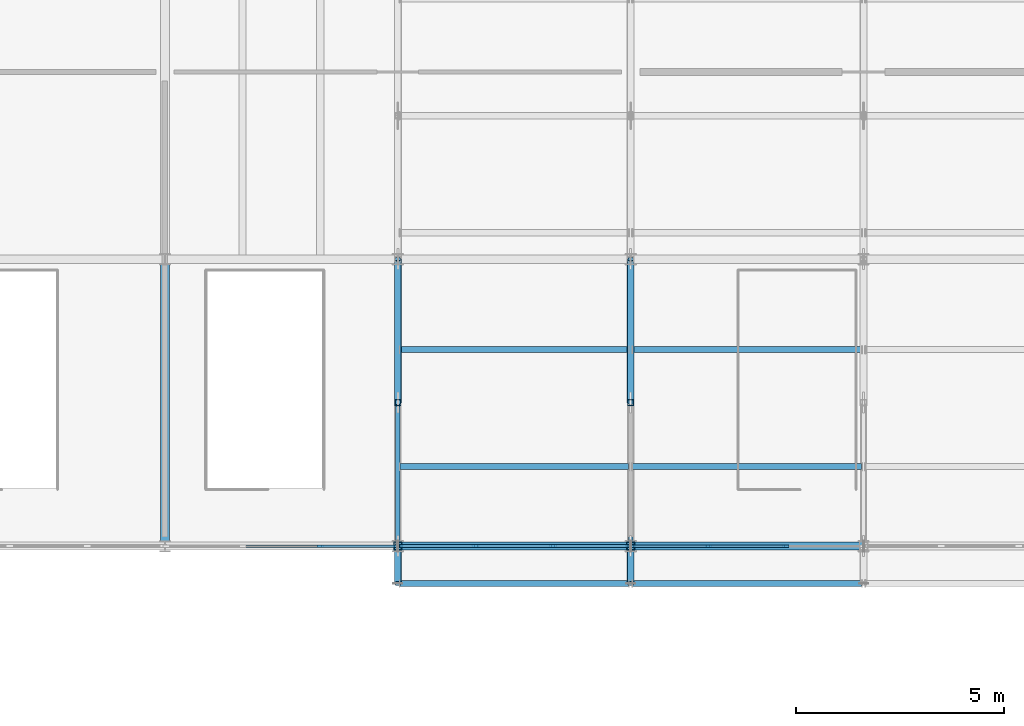
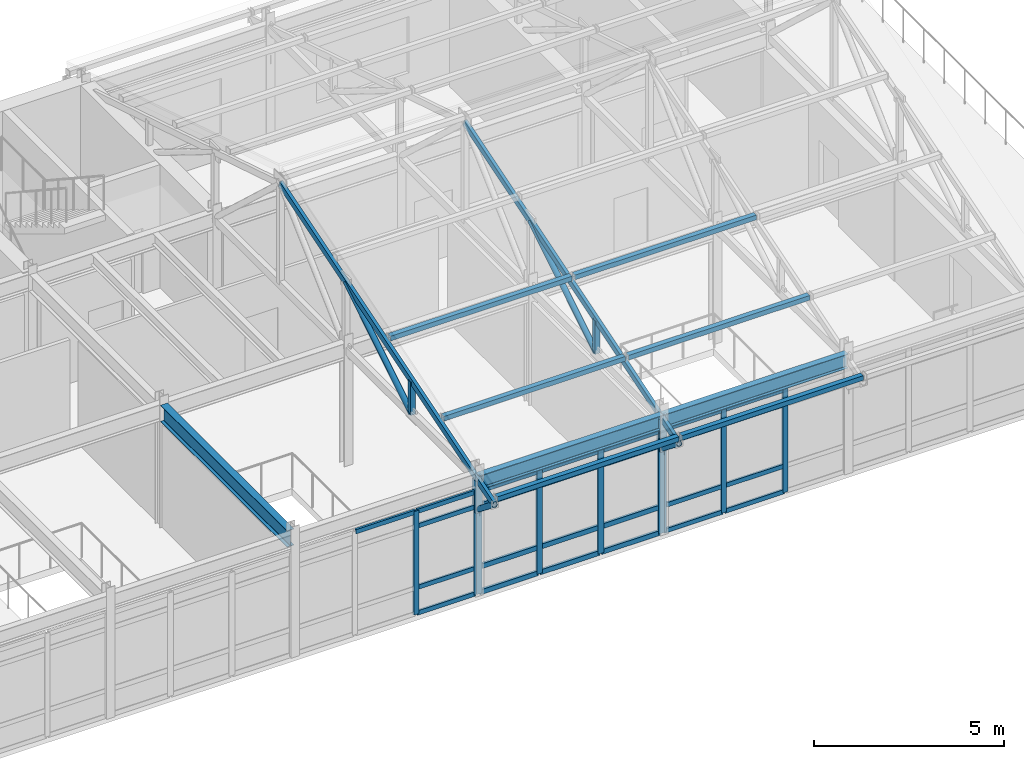
# One storey, part 61 of 144: 50 members, 3 beams, 3 elements without a shape of their own.
"""IFC4 building model written with IfcOpenShell, lengths in metres."""

from ifc_helpers import new_model, si_unit, direction, frame, origin, origin_2d, place, context, subcontext, project, spatial, rectangle, hollow_rectangle, hollow_circle, i_section, extrude, material, layer, layer_set, material_profile, profile_set, type_object, element, aggregate, save


model = new_model("IFC4")

# Units and contexts
model_context = context("Model", 3, precision=1e-05, world=origin(), true_north=direction((0.0, 1.0)))
body_context = subcontext(model_context, "Body", "Model", "MODEL_VIEW")
ifc_project = project(units=[si_unit("LENGTHUNIT", "METRE"), si_unit("AREAUNIT", "SQUARE_METRE"), si_unit("VOLUMEUNIT", "CUBIC_METRE"), si_unit("PLANEANGLEUNIT", "RADIAN"), si_unit("MASSUNIT", "GRAM", prefix="KILO")], contexts=[model_context])

# Site, building, storey
site_placement = place(None, origin())
site = spatial("IfcSite", under=ifc_project, at=site_placement, CompositionType="ELEMENT")
building_placement = place(site_placement, origin())
building = spatial("IfcBuilding", under=site, at=building_placement, Name="Trelmorton Wharf Fire Station", CompositionType="ELEMENT")
storey_placement = place(building_placement, frame((0.0, 0.0, 5.39990234375)))
storey = spatial("IfcBuildingStorey", under=building, at=storey_placement, Name="L01", CompositionType="ELEMENT", Elevation=5.39990234375)

# Beam
ifc_material_1 = material(Name="Steel Grade 350", Category="steel")
ifc_material_profile_1 = material_profile(ifc_material_1, i_section(OverallWidth=0.208984375, OverallDepth=0.532958984375, WebThickness=0.01025390625, FlangeThickness=0.015625, FilletRadius=0.013916015625, at=origin_2d()), Name="530UB92.4")
ifc_profile_set_1 = profile_set([ifc_material_profile_1], Name="Steel Grade 350")
beam_type_1 = type_object("IfcBeamType", Name="BM_530UB92", PredefinedType="BEAM", material=ifc_profile_set_1)
beam_1_placement = place(storey_placement, frame((17.60009765625, 60.426025390625, 3.66357421875), z_axis=(0.0, 1.0, 0.0), x_axis=(-1.0, 0.0, 0.0)))
element("IfcBeam", 1, at=beam_1_placement, inside=storey, type_object=beam_type_1, Name="BM-L01-0576", PredefinedType="BEAM", context=body_context, shape_type="SweptSolid", body=[
    extrude(i_section(OverallWidth=0.208984375, OverallDepth=0.532958984375, WebThickness=0.01025390625, FlangeThickness=0.015625, FilletRadius=0.013916015625, at=origin_2d()), origin(), (0.0, 0.0, 1.0), 6.64794921875),
])

# Curtain wall, members
ifc_material_2 = material(Name="Anodised aluminium AW-6063", Category="aluminium")
ifc_layer = layer(ifc_material_2, 0.14990234375)
ifc_layer_set = layer_set([ifc_layer], Name="Anodised aluminium AW-6063")
curtain_wall_type = type_object("IfcCurtainWallType", Name="CW_UNIT_A", PredefinedType="USERDEFINED", material=ifc_layer_set)
curtain_wall_1_placement = place(storey_placement, origin())
curtain_wall_1 = element("IfcCurtainWall", 2, at=curtain_wall_1_placement, inside=storey, type_object=curtain_wall_type, Name="CW-V6-L01-093", ObjectType="UNITISED CURTAIN WALL", PredefinedType="USERDEFINED")
ifc_material_profile_2 = material_profile(ifc_material_2, rectangle(XDim=0.06494140625, YDim=0.159912109375, at=origin_2d()), Name="ALU-65x160")
ifc_profile_set_2 = profile_set([ifc_material_profile_2], Name="Anodised aluminium AW-6063")
member_type_1 = type_object("IfcMemberType", Name="CWM_65x160", PredefinedType="MULLION", material=ifc_profile_set_2)
member_1_placement = place(storey_placement, frame((23.1650390625, 60.300048828125, 0.0), z_axis=(0.0, 0.0, 1.0), x_axis=(0.0, -1.0, 0.0)))
member_1 = element("IfcMember", 3, at=member_1_placement, type_object=member_type_1, Name="CW3 mullion 1", PredefinedType="MULLION", context=body_context, shape_type="SweptSolid", body=[
    extrude(rectangle(XDim=0.06494140625, YDim=0.159912109375, at=origin_2d()), origin(), (0.0, 0.0, 1.0), 3.320068359375),
])
member_2_placement = place(storey_placement, frame((21.331787109375, 60.300048828125, 0.0), z_axis=(0.0, 0.0, 1.0), x_axis=(0.0, -1.0, 0.0)))
member_2 = element("IfcMember", 4, at=member_2_placement, type_object=member_type_1, Name="CW3 mullion 2", PredefinedType="MULLION", context=body_context, shape_type="SweptSolid", body=[
    extrude(rectangle(XDim=0.06494140625, YDim=0.159912109375, at=origin_2d()), origin(), (0.0, 0.0, 1.0), 3.320068359375),
])

curtain_wall_2_placement = place(storey_placement, origin())
curtain_wall_2 = element("IfcCurtainWall", 5, at=curtain_wall_2_placement, inside=storey, type_object=curtain_wall_type, Name="CW-V6-L01-095", ObjectType="UNITISED CURTAIN WALL", PredefinedType="USERDEFINED")
member_3_placement = place(storey_placement, frame((32.53173828125, 60.300048828125, 0.0), z_axis=(0.0, 0.0, 1.0), x_axis=(0.0, -1.0, 0.0)))
member_3 = element("IfcMember", 6, at=member_3_placement, type_object=member_type_1, Name="CW3 mullion 2", PredefinedType="MULLION", context=body_context, shape_type="SweptSolid", body=[
    extrude(rectangle(XDim=0.06494140625, YDim=0.159912109375, at=origin_2d()), origin(), (0.0, 0.0, 1.0), 3.320068359375),
])
member_4_placement = place(storey_placement, frame((30.668212890625, 60.300048828125, 0.0), z_axis=(0.0, 0.0, 1.0), x_axis=(0.0, -1.0, 0.0)))
member_4 = element("IfcMember", 7, at=member_4_placement, type_object=member_type_1, Name="CW3 mullion 3", PredefinedType="MULLION", context=body_context, shape_type="SweptSolid", body=[
    extrude(rectangle(XDim=0.06494140625, YDim=0.159912109375, at=origin_2d()), origin(), (0.0, 0.0, 1.0), 3.320068359375),
])
member_5_placement = place(storey_placement, frame((28.8349609375, 60.300048828125, 0.0), z_axis=(0.0, 0.0, 1.0), x_axis=(0.0, -1.0, 0.0)))
member_5 = element("IfcMember", 8, at=member_5_placement, type_object=member_type_1, Name="CW3 mullion 4", PredefinedType="MULLION", context=body_context, shape_type="SweptSolid", body=[
    extrude(rectangle(XDim=0.06494140625, YDim=0.159912109375, at=origin_2d()), origin(), (0.0, 0.0, 1.0), 3.320068359375),
])

curtain_wall_3_placement = place(storey_placement, origin())
curtain_wall_3 = element("IfcCurtainWall", 9, at=curtain_wall_3_placement, inside=storey, type_object=curtain_wall_type, Name="CW-V6-L01-094", ObjectType="UNITISED CURTAIN WALL", PredefinedType="USERDEFINED")
ifc_material_profile_3 = material_profile(ifc_material_2, rectangle(XDim=0.074951171875, YDim=0.175048828125, at=origin_2d()), Name="ALU-75x175")
ifc_profile_set_3 = profile_set([ifc_material_profile_3], Name="Anodised aluminium AW-6063")
member_type_2 = type_object("IfcMemberType", Name="CWM_75x175", PredefinedType="MULLION", material=ifc_profile_set_3)
member_6_placement = place(storey_placement, frame((28.764892578125, 60.300048828125, 0.0), z_axis=(0.0, 0.0, 1.0), x_axis=(0.0, -1.0, 0.0)))
member_6 = element("IfcMember", 10, at=member_6_placement, type_object=member_type_2, Name="CW3 mullion 1", PredefinedType="MULLION", context=body_context, shape_type="SweptSolid", body=[
    extrude(rectangle(XDim=0.074951171875, YDim=0.175048828125, at=origin_2d()), origin(), (0.0, 0.0, 1.0), 3.320068359375),
])
member_7_placement = place(storey_placement, frame((26.931640625, 60.300048828125, 0.0), z_axis=(0.0, 0.0, 1.0), x_axis=(0.0, -1.0, 0.0)))
member_7 = element("IfcMember", 11, at=member_7_placement, type_object=member_type_2, Name="CW3 mullion 2", PredefinedType="MULLION", context=body_context, shape_type="SweptSolid", body=[
    extrude(rectangle(XDim=0.074951171875, YDim=0.175048828125, at=origin_2d()), origin(), (0.0, 0.0, 1.0), 3.320068359375),
])
member_8_placement = place(storey_placement, frame((25.068359375, 60.300048828125, 0.0), z_axis=(0.0, 0.0, 1.0), x_axis=(0.0, -1.0, 0.0)))
member_8 = element("IfcMember", 12, at=member_8_placement, type_object=member_type_2, Name="CW3 mullion 3", PredefinedType="MULLION", context=body_context, shape_type="SweptSolid", body=[
    extrude(rectangle(XDim=0.074951171875, YDim=0.175048828125, at=origin_2d()), origin(), (0.0, 0.0, 1.0), 3.320068359375),
])
member_9_placement = place(storey_placement, frame((23.235107421875, 60.300048828125, 0.0), z_axis=(0.0, 0.0, 1.0), x_axis=(0.0, -1.0, 0.0)))
member_9 = element("IfcMember", 13, at=member_9_placement, type_object=member_type_2, Name="CW3 mullion 4", PredefinedType="MULLION", context=body_context, shape_type="SweptSolid", body=[
    extrude(rectangle(XDim=0.074951171875, YDim=0.175048828125, at=origin_2d()), origin(), (0.0, 0.0, 1.0), 3.320068359375),
])

# Member
ifc_material_profile_4 = material_profile(ifc_material_2, rectangle(XDim=0.06494140625, YDim=0.139892578125, at=origin_2d()), Name="ALU-65x140")
ifc_profile_set_4 = profile_set([ifc_material_profile_4], Name="Anodised aluminium AW-6063")
member_type_3 = type_object("IfcMemberType", Name="CWT_65x140", PredefinedType="USERDEFINED", material=ifc_profile_set_4)
member_10_placement = place(storey_placement, frame((23.135009765625, 60.300048828125, 0.030029296875), z_axis=(-1.0, 0.0, 0.0), x_axis=(0.0, -1.0, 0.0)))
member_10 = element("IfcMember", 14, at=member_10_placement, type_object=member_type_3, Name="CW3 transom 1.1", ObjectType="TRANSOM", PredefinedType="USERDEFINED", context=body_context, shape_type="SweptSolid", body=[
    extrude(rectangle(XDim=0.06494140625, YDim=0.139892578125, at=origin_2d()), origin(), (0.0, 0.0, 1.0), 1.7734375),
])

member_11_placement = place(storey_placement, frame((23.135009765625, 60.300048828125, 0.85009765625), z_axis=(-1.0, 0.0, 0.0), x_axis=(0.0, -1.0, 0.0)))
member_11 = element("IfcMember", 15, at=member_11_placement, type_object=member_type_3, Name="CW3 transom 1.2", ObjectType="TRANSOM", PredefinedType="USERDEFINED", context=body_context, shape_type="SweptSolid", body=[
    extrude(rectangle(XDim=0.06494140625, YDim=0.139892578125, at=origin_2d()), origin(), (0.0, 0.0, 1.0), 1.7734375),
])

member_12_placement = place(storey_placement, frame((23.135009765625, 60.300048828125, 2.820068359375), z_axis=(-1.0, 0.0, 0.0), x_axis=(0.0, -1.0, 0.0)))
member_12 = element("IfcMember", 16, at=member_12_placement, type_object=member_type_3, Name="CW3 transom 1.3", ObjectType="TRANSOM", PredefinedType="USERDEFINED", context=body_context, shape_type="SweptSolid", body=[
    extrude(rectangle(XDim=0.06494140625, YDim=0.139892578125, at=origin_2d()), origin(), (0.0, 0.0, 1.0), 1.7734375),
])

member_13_placement = place(storey_placement, frame((23.135009765625, 60.300048828125, 3.2900390625), z_axis=(-1.0, 0.0, 0.0), x_axis=(0.0, -1.0, 0.0)))
member_13 = element("IfcMember", 17, at=member_13_placement, type_object=member_type_3, Name="CW3 transom 1.4", ObjectType="TRANSOM", PredefinedType="USERDEFINED", context=body_context, shape_type="SweptSolid", body=[
    extrude(rectangle(XDim=0.06494140625, YDim=0.139892578125, at=origin_2d()), origin(), (0.0, 0.0, 1.0), 1.7734375),
])

member_14_placement = place(storey_placement, frame((21.3017578125, 60.300048828125, 3.2900390625), z_axis=(-1.0, 0.0, 0.0), x_axis=(0.0, -1.0, 0.0)))
member_14 = element("IfcMember", 18, at=member_14_placement, type_object=member_type_3, Name="CW3 transom 2.4", ObjectType="TRANSOM", PredefinedType="USERDEFINED", context=body_context, shape_type="SweptSolid", body=[
    extrude(rectangle(XDim=0.06494140625, YDim=0.139892578125, at=origin_2d()), origin(), (0.0, 0.0, 1.0), 1.803466796875),
])

aggregate(curtain_wall_1, [member_1, member_2, member_10, member_11, member_12, member_13, member_14])

member_15_placement = place(storey_placement, frame((32.501708984375, 60.300048828125, 0.030029296875), z_axis=(-1.0, 0.0, 0.0), x_axis=(0.0, -1.0, 0.0)))
member_15 = element("IfcMember", 19, at=member_15_placement, type_object=member_type_3, Name="CW3 transom 2.1", ObjectType="TRANSOM", PredefinedType="USERDEFINED", context=body_context, shape_type="SweptSolid", body=[
    extrude(rectangle(XDim=0.06494140625, YDim=0.139892578125, at=origin_2d()), origin(), (0.0, 0.0, 1.0), 1.803466796875),
])

member_16_placement = place(storey_placement, frame((32.501708984375, 60.300048828125, 0.85009765625), z_axis=(-1.0, 0.0, 0.0), x_axis=(0.0, -1.0, 0.0)))
member_16 = element("IfcMember", 20, at=member_16_placement, type_object=member_type_3, Name="CW3 transom 2.2", ObjectType="TRANSOM", PredefinedType="USERDEFINED", context=body_context, shape_type="SweptSolid", body=[
    extrude(rectangle(XDim=0.06494140625, YDim=0.139892578125, at=origin_2d()), origin(), (0.0, 0.0, 1.0), 1.803466796875),
])

member_17_placement = place(storey_placement, frame((32.501708984375, 60.300048828125, 2.820068359375), z_axis=(-1.0, 0.0, 0.0), x_axis=(0.0, -1.0, 0.0)))
member_17 = element("IfcMember", 21, at=member_17_placement, type_object=member_type_3, Name="CW3 transom 2.3", ObjectType="TRANSOM", PredefinedType="USERDEFINED", context=body_context, shape_type="SweptSolid", body=[
    extrude(rectangle(XDim=0.06494140625, YDim=0.139892578125, at=origin_2d()), origin(), (0.0, 0.0, 1.0), 1.803466796875),
])

member_18_placement = place(storey_placement, frame((32.501708984375, 60.300048828125, 3.2900390625), z_axis=(-1.0, 0.0, 0.0), x_axis=(0.0, -1.0, 0.0)))
member_18 = element("IfcMember", 22, at=member_18_placement, type_object=member_type_3, Name="CW3 transom 2.4", ObjectType="TRANSOM", PredefinedType="USERDEFINED", context=body_context, shape_type="SweptSolid", body=[
    extrude(rectangle(XDim=0.06494140625, YDim=0.139892578125, at=origin_2d()), origin(), (0.0, 0.0, 1.0), 1.803466796875),
])

member_19_placement = place(storey_placement, frame((30.638427734375, 60.300048828125, 0.030029296875), z_axis=(-1.0, 0.0, 0.0), x_axis=(0.0, -1.0, 0.0)))
member_19 = element("IfcMember", 23, at=member_19_placement, type_object=member_type_3, Name="CW3 transom 3.1", ObjectType="TRANSOM", PredefinedType="USERDEFINED", context=body_context, shape_type="SweptSolid", body=[
    extrude(rectangle(XDim=0.06494140625, YDim=0.139892578125, at=origin_2d()), origin(), (0.0, 0.0, 1.0), 1.7734375),
])

member_20_placement = place(storey_placement, frame((30.638427734375, 60.300048828125, 0.85009765625), z_axis=(-1.0, 0.0, 0.0), x_axis=(0.0, -1.0, 0.0)))
member_20 = element("IfcMember", 24, at=member_20_placement, type_object=member_type_3, Name="CW3 transom 3.2", ObjectType="TRANSOM", PredefinedType="USERDEFINED", context=body_context, shape_type="SweptSolid", body=[
    extrude(rectangle(XDim=0.06494140625, YDim=0.139892578125, at=origin_2d()), origin(), (0.0, 0.0, 1.0), 1.7734375),
])

member_21_placement = place(storey_placement, frame((30.638427734375, 60.300048828125, 2.820068359375), z_axis=(-1.0, 0.0, 0.0), x_axis=(0.0, -1.0, 0.0)))
member_21 = element("IfcMember", 25, at=member_21_placement, type_object=member_type_3, Name="CW3 transom 3.3", ObjectType="TRANSOM", PredefinedType="USERDEFINED", context=body_context, shape_type="SweptSolid", body=[
    extrude(rectangle(XDim=0.06494140625, YDim=0.139892578125, at=origin_2d()), origin(), (0.0, 0.0, 1.0), 1.7734375),
])

member_22_placement = place(storey_placement, frame((30.638427734375, 60.300048828125, 3.2900390625), z_axis=(-1.0, 0.0, 0.0), x_axis=(0.0, -1.0, 0.0)))
member_22 = element("IfcMember", 26, at=member_22_placement, type_object=member_type_3, Name="CW3 transom 3.4", ObjectType="TRANSOM", PredefinedType="USERDEFINED", context=body_context, shape_type="SweptSolid", body=[
    extrude(rectangle(XDim=0.06494140625, YDim=0.139892578125, at=origin_2d()), origin(), (0.0, 0.0, 1.0), 1.7734375),
])

aggregate(curtain_wall_2, [member_3, member_4, member_5, member_15, member_16, member_17, member_18, member_19, member_20, member_21, member_22])

ifc_material_profile_5 = material_profile(ifc_material_2, rectangle(XDim=0.074951171875, YDim=0.155029296875, at=origin_2d()), Name="ALU-75x155")
ifc_profile_set_5 = profile_set([ifc_material_profile_5], Name="Anodised aluminium AW-6063")
member_type_4 = type_object("IfcMemberType", Name="CWT_75x155", PredefinedType="USERDEFINED", material=ifc_profile_set_5)
member_23_placement = place(storey_placement, frame((28.735107421875, 60.300048828125, 0.030029296875), z_axis=(-1.0, 0.0, 0.0), x_axis=(0.0, -1.0, 0.0)))
member_23 = element("IfcMember", 27, at=member_23_placement, type_object=member_type_4, Name="CW3 transom 1.1", ObjectType="TRANSOM", PredefinedType="USERDEFINED", context=body_context, shape_type="SweptSolid", body=[
    extrude(rectangle(XDim=0.074951171875, YDim=0.155029296875, at=origin_2d()), origin(), (0.0, 0.0, 1.0), 1.7734375),
])

member_24_placement = place(storey_placement, frame((28.735107421875, 60.300048828125, 0.85009765625), z_axis=(-1.0, 0.0, 0.0), x_axis=(0.0, -1.0, 0.0)))
member_24 = element("IfcMember", 28, at=member_24_placement, type_object=member_type_4, Name="CW3 transom 1.2", ObjectType="TRANSOM", PredefinedType="USERDEFINED", context=body_context, shape_type="SweptSolid", body=[
    extrude(rectangle(XDim=0.074951171875, YDim=0.155029296875, at=origin_2d()), origin(), (0.0, 0.0, 1.0), 1.7734375),
])

member_25_placement = place(storey_placement, frame((28.735107421875, 60.300048828125, 2.820068359375), z_axis=(-1.0, 0.0, 0.0), x_axis=(0.0, -1.0, 0.0)))
member_25 = element("IfcMember", 29, at=member_25_placement, type_object=member_type_4, Name="CW3 transom 1.3", ObjectType="TRANSOM", PredefinedType="USERDEFINED", context=body_context, shape_type="SweptSolid", body=[
    extrude(rectangle(XDim=0.074951171875, YDim=0.155029296875, at=origin_2d()), origin(), (0.0, 0.0, 1.0), 1.7734375),
])

member_26_placement = place(storey_placement, frame((28.735107421875, 60.300048828125, 3.2900390625), z_axis=(-1.0, 0.0, 0.0), x_axis=(0.0, -1.0, 0.0)))
member_26 = element("IfcMember", 30, at=member_26_placement, type_object=member_type_4, Name="CW3 transom 1.4", ObjectType="TRANSOM", PredefinedType="USERDEFINED", context=body_context, shape_type="SweptSolid", body=[
    extrude(rectangle(XDim=0.074951171875, YDim=0.155029296875, at=origin_2d()), origin(), (0.0, 0.0, 1.0), 1.7734375),
])

member_27_placement = place(storey_placement, frame((26.901611328125, 60.300048828125, 0.030029296875), z_axis=(-1.0, 0.0, 0.0), x_axis=(0.0, -1.0, 0.0)))
member_27 = element("IfcMember", 31, at=member_27_placement, type_object=member_type_4, Name="CW3 transom 2.1", ObjectType="TRANSOM", PredefinedType="USERDEFINED", context=body_context, shape_type="SweptSolid", body=[
    extrude(rectangle(XDim=0.074951171875, YDim=0.155029296875, at=origin_2d()), origin(), (0.0, 0.0, 1.0), 1.80322265625),
])

member_28_placement = place(storey_placement, frame((26.901611328125, 60.300048828125, 0.85009765625), z_axis=(-1.0, 0.0, 0.0), x_axis=(0.0, -1.0, 0.0)))
member_28 = element("IfcMember", 32, at=member_28_placement, type_object=member_type_4, Name="CW3 transom 2.2", ObjectType="TRANSOM", PredefinedType="USERDEFINED", context=body_context, shape_type="SweptSolid", body=[
    extrude(rectangle(XDim=0.074951171875, YDim=0.155029296875, at=origin_2d()), origin(), (0.0, 0.0, 1.0), 1.80322265625),
])

member_29_placement = place(storey_placement, frame((26.901611328125, 60.300048828125, 2.820068359375), z_axis=(-1.0, 0.0, 0.0), x_axis=(0.0, -1.0, 0.0)))
member_29 = element("IfcMember", 33, at=member_29_placement, type_object=member_type_4, Name="CW3 transom 2.3", ObjectType="TRANSOM", PredefinedType="USERDEFINED", context=body_context, shape_type="SweptSolid", body=[
    extrude(rectangle(XDim=0.074951171875, YDim=0.155029296875, at=origin_2d()), origin(), (0.0, 0.0, 1.0), 1.80322265625),
])

member_30_placement = place(storey_placement, frame((26.901611328125, 60.300048828125, 3.2900390625), z_axis=(-1.0, 0.0, 0.0), x_axis=(0.0, -1.0, 0.0)))
member_30 = element("IfcMember", 34, at=member_30_placement, type_object=member_type_4, Name="CW3 transom 2.4", ObjectType="TRANSOM", PredefinedType="USERDEFINED", context=body_context, shape_type="SweptSolid", body=[
    extrude(rectangle(XDim=0.074951171875, YDim=0.155029296875, at=origin_2d()), origin(), (0.0, 0.0, 1.0), 1.80322265625),
])

member_31_placement = place(storey_placement, frame((25.038330078125, 60.300048828125, 0.030029296875), z_axis=(-1.0, 0.0, 0.0), x_axis=(0.0, -1.0, 0.0)))
member_31 = element("IfcMember", 35, at=member_31_placement, type_object=member_type_4, Name="CW3 transom 3.1", ObjectType="TRANSOM", PredefinedType="USERDEFINED", context=body_context, shape_type="SweptSolid", body=[
    extrude(rectangle(XDim=0.074951171875, YDim=0.155029296875, at=origin_2d()), origin(), (0.0, 0.0, 1.0), 1.7734375),
])

member_32_placement = place(storey_placement, frame((25.038330078125, 60.300048828125, 0.85009765625), z_axis=(-1.0, 0.0, 0.0), x_axis=(0.0, -1.0, 0.0)))
member_32 = element("IfcMember", 36, at=member_32_placement, type_object=member_type_4, Name="CW3 transom 3.2", ObjectType="TRANSOM", PredefinedType="USERDEFINED", context=body_context, shape_type="SweptSolid", body=[
    extrude(rectangle(XDim=0.074951171875, YDim=0.155029296875, at=origin_2d()), origin(), (0.0, 0.0, 1.0), 1.7734375),
])

member_33_placement = place(storey_placement, frame((25.038330078125, 60.300048828125, 2.820068359375), z_axis=(-1.0, 0.0, 0.0), x_axis=(0.0, -1.0, 0.0)))
member_33 = element("IfcMember", 37, at=member_33_placement, type_object=member_type_4, Name="CW3 transom 3.3", ObjectType="TRANSOM", PredefinedType="USERDEFINED", context=body_context, shape_type="SweptSolid", body=[
    extrude(rectangle(XDim=0.074951171875, YDim=0.155029296875, at=origin_2d()), origin(), (0.0, 0.0, 1.0), 1.7734375),
])

member_34_placement = place(storey_placement, frame((25.038330078125, 60.300048828125, 3.2900390625), z_axis=(-1.0, 0.0, 0.0), x_axis=(0.0, -1.0, 0.0)))
member_34 = element("IfcMember", 38, at=member_34_placement, type_object=member_type_4, Name="CW3 transom 3.4", ObjectType="TRANSOM", PredefinedType="USERDEFINED", context=body_context, shape_type="SweptSolid", body=[
    extrude(rectangle(XDim=0.074951171875, YDim=0.155029296875, at=origin_2d()), origin(), (0.0, 0.0, 1.0), 1.7734375),
])

aggregate(curtain_wall_3, [member_6, member_7, member_8, member_9, member_23, member_24, member_25, member_26, member_27, member_28, member_29, member_30, member_31, member_32, member_33, member_34])

# Members
ifc_material_3 = material(Name="Steel C350L0 (350 MPa)", Category="steel")
ifc_material_profile_6 = material_profile(ifc_material_3, hollow_rectangle(XDim=0.14990234375, YDim=0.14990234375, WallThickness=0.009033203125, at=origin_2d()), Name="150x150x9.0SHS")
ifc_profile_set_6 = profile_set([ifc_material_profile_6], Name="Steel C350L0 (350 MPa)")
member_type_5 = type_object("IfcMemberType", Name="PR_150SHS", PredefinedType="PURLIN", material=ifc_profile_set_6)
for number, where, z_axis, x_axis, name in (
    (39, (23.2470703125, 59.39990234375, 3.598876953125), (1.0, 0.0, 0.0), (0.0, 1.0, 0.0), "V6-PR-B01-S0"),
    (40, (23.2470703125, 62.21240234375, 4.468505859375), (1.0, 0.0, 0.0), (0.0, 1.0, 0.0), "V6-PR-B01-S1"),
    (41, (23.2470703125, 65.02490234375, 5.338134765625), (1.0, 0.0, 0.0), (0.0, 1.0, 0.0), "V6-PR-B01-S2"),
):
    element("IfcMember", number, at=place(storey_placement, frame(where, z_axis=z_axis, x_axis=x_axis)), inside=storey, type_object=member_type_5, Name=name, PredefinedType="PURLIN", context=body_context, shape_type="SweptSolid", body=[
        extrude(hollow_rectangle(XDim=0.14990234375, YDim=0.14990234375, WallThickness=0.009033203125, at=origin_2d()), origin(), (0.0, 0.0, 1.0), 5.505859375),
    ])
for number, where, z_axis, x_axis, name in (
    (42, (28.846923828125, 59.39990234375, 3.598876953125), (1.0, 0.0, 0.0), (0.0, 1.0, 0.0), "V6-PR-B02-S0"),
    (43, (28.846923828125, 62.21240234375, 4.468505859375), (1.0, 0.0, 0.0), (0.0, 1.0, 0.0), "V6-PR-B02-S1"),
    (44, (28.846923828125, 65.02490234375, 5.338134765625), (1.0, 0.0, 0.0), (0.0, 1.0, 0.0), "V6-PR-B02-S2"),
):
    element("IfcMember", number, at=place(storey_placement, frame(where, z_axis=z_axis, x_axis=x_axis)), inside=storey, type_object=member_type_5, Name=name, PredefinedType="PURLIN", context=body_context, shape_type="SweptSolid", body=[
        extrude(hollow_rectangle(XDim=0.14990234375, YDim=0.14990234375, WallThickness=0.009033203125, at=origin_2d()), origin(), (0.0, 0.0, 1.0), 5.506103515625),
    ])

# Beams
ifc_material_profile_7 = material_profile(ifc_material_1, i_section(OverallWidth=0.18994140625, OverallDepth=0.45703125, WebThickness=0.009033203125, FlangeThickness=0.014404296875, FilletRadius=0.011474609375, at=origin_2d()), Name="460UB74.6")
ifc_profile_set_7 = profile_set([ifc_material_profile_7], Name="Steel Grade 350")
beam_type_2 = type_object("IfcBeamType", Name="SP_460UB75", PredefinedType="SPANDREL", material=ifc_profile_set_7)
beam_2_placement = place(storey_placement, frame((23.2041015625, 60.300048828125, 3.591552734375), z_axis=(1.0, 0.0, 0.0), x_axis=(0.0, 1.0, 0.0)))
element("IfcBeam", 45, at=beam_2_placement, inside=storey, type_object=beam_type_2, Name="BM-L01-0491", PredefinedType="SPANDREL", context=body_context, shape_type="SweptSolid", body=[
    extrude(i_section(OverallWidth=0.18994140625, OverallDepth=0.45703125, WebThickness=0.009033203125, FlangeThickness=0.014404296875, FilletRadius=0.011474609375, at=origin_2d()), origin(), (0.0, 0.0, 1.0), 5.591796875),
])
beam_3_placement = place(storey_placement, frame((28.803955078125, 60.300048828125, 3.591552734375), z_axis=(1.0, 0.0, 0.0), x_axis=(0.0, 1.0, 0.0)))
element("IfcBeam", 46, at=beam_3_placement, inside=storey, type_object=beam_type_2, Name="BM-L01-0492", PredefinedType="SPANDREL", context=body_context, shape_type="SweptSolid", body=[
    extrude(i_section(OverallWidth=0.18994140625, OverallDepth=0.45703125, WebThickness=0.009033203125, FlangeThickness=0.014404296875, FilletRadius=0.011474609375, at=origin_2d()), origin(), (0.0, 0.0, 1.0), 5.592041015625),
])

# Members
ifc_material_profile_8 = material_profile(ifc_material_3, hollow_circle(Radius=0.084228515625, WallThickness=0.007080078125, at=origin_2d()), Name="168.3x7.1CHS")
ifc_profile_set_8 = profile_set([ifc_material_profile_8], Name="Steel C350L0 (350 MPa)")
member_type_6 = type_object("IfcMemberType", Name="TR_DIAG_168CHS", PredefinedType="STRUT", material=ifc_profile_set_8)
member_35_placement = place(storey_placement, frame((23.199951171875, 60.300048828125, 2.7001953125), z_axis=(0.0, -0.787036307111, 0.616906679563), x_axis=(1.0, 0.0, 0.0)))
element("IfcMember", 47, at=member_35_placement, inside=storey, type_object=member_type_6, Name="V6-TR01-EAV-S", PredefinedType="STRUT", context=body_context, shape_type="SweptSolid", body=[
    extrude(hollow_circle(Radius=0.084228515625, WallThickness=0.007080078125, at=origin_2d()), origin(), (0.0, 0.0, 1.0), 1.143798828125),
])
member_36_placement = place(storey_placement, frame((23.199951171875, 63.75, 3.68408203125), z_axis=(0.0, 0.85052799659, 0.525929773845), x_axis=(-1.0, 0.0, 0.0)))
element("IfcMember", 48, at=member_36_placement, inside=storey, type_object=member_type_6, Name="V6-TR01-DG-S1", PredefinedType="STRUT", context=body_context, shape_type="SweptSolid", body=[
    extrude(hollow_circle(Radius=0.084228515625, WallThickness=0.007080078125, at=origin_2d()), origin(), (0.0, 0.0, 1.0), 4.05615234375),
])
member_37_placement = place(storey_placement, frame((28.800048828125, 60.300048828125, 2.7001953125), z_axis=(0.0, -0.787036307111, 0.616906679563), x_axis=(1.0, 0.0, 0.0)))
element("IfcMember", 49, at=member_37_placement, inside=storey, type_object=member_type_6, Name="V6-TR02-EAV-S", PredefinedType="STRUT", context=body_context, shape_type="SweptSolid", body=[
    extrude(hollow_circle(Radius=0.084228515625, WallThickness=0.007080078125, at=origin_2d()), origin(), (0.0, 0.0, 1.0), 1.143798828125),
])
member_38_placement = place(storey_placement, frame((28.800048828125, 63.75, 3.68408203125), z_axis=(0.0, 0.85052799659, 0.525929773845), x_axis=(-1.0, 0.0, 0.0)))
element("IfcMember", 50, at=member_38_placement, inside=storey, type_object=member_type_6, Name="V6-TR02-DG-S1", PredefinedType="STRUT", context=body_context, shape_type="SweptSolid", body=[
    extrude(hollow_circle(Radius=0.084228515625, WallThickness=0.007080078125, at=origin_2d()), origin(), (0.0, 0.0, 1.0), 4.05615234375),
])
ifc_material_profile_9 = material_profile(ifc_material_3, hollow_rectangle(XDim=0.14990234375, YDim=0.14990234375, WallThickness=0.009033203125, at=origin_2d()), Name="150x150x9.0SHS")
ifc_profile_set_9 = profile_set([ifc_material_profile_9], Name="Steel C350L0 (350 MPa)")
member_type_7 = type_object("IfcMemberType", Name="TR_POST_150SHS", PredefinedType="POST", material=ifc_profile_set_9)
for number, where, z_axis, x_axis, name in (
    (51, (23.199951171875, 63.75, 3.68408203125), (0.0, 0.0, 1.0), (1.0, 0.0, 0.0), "V6-TR01-VP-S1"),
    (52, (28.800048828125, 63.75, 3.68408203125), (0.0, 0.0, 1.0), (1.0, 0.0, 0.0), "V6-TR02-VP-S1"),
):
    element("IfcMember", number, at=place(storey_placement, frame(where, z_axis=z_axis, x_axis=x_axis)), inside=storey, type_object=member_type_7, Name=name, PredefinedType="POST", context=body_context, shape_type="SweptSolid", body=[
        extrude(hollow_rectangle(XDim=0.14990234375, YDim=0.14990234375, WallThickness=0.009033203125, at=origin_2d()), origin(), (0.0, 0.0, 1.0), 1.066650390625),
    ])
ifc_material_profile_10 = material_profile(ifc_material_3, hollow_rectangle(XDim=0.199951171875, YDim=0.199951171875, WallThickness=0.010009765625, at=origin_2d()), Name="200x200x10.0SHS")
ifc_profile_set_10 = profile_set([ifc_material_profile_10], Name="Steel C350L0 (350 MPa)")
member_type_8 = type_object("IfcMemberType", Name="TR_POST_200SHS", PredefinedType="POST", material=ifc_profile_set_10)
for number, where, z_axis, x_axis, name in (
    (53, (23.199951171875, 60.300048828125, 2.650146484375), (0.0, 0.0, 1.0), (1.0, 0.0, 0.0), "V6-TR01-SHS"),
    (54, (28.800048828125, 60.300048828125, 2.650146484375), (0.0, 0.0, 1.0), (1.0, 0.0, 0.0), "V6-TR02-SHS"),
):
    element("IfcMember", number, at=place(storey_placement, frame(where, z_axis=z_axis, x_axis=x_axis)), inside=storey, type_object=member_type_8, Name=name, PredefinedType="POST", context=body_context, shape_type="SweptSolid", body=[
        extrude(hollow_rectangle(XDim=0.199951171875, YDim=0.199951171875, WallThickness=0.010009765625, at=origin_2d()), origin(), (0.0, 0.0, 1.0), 1.033935546875),
    ])
ifc_material_profile_11 = material_profile(ifc_material_3, hollow_rectangle(XDim=0.10009765625, YDim=0.199951171875, WallThickness=0.006103515625, at=origin_2d()), Name="200x100x6.0RHS")
ifc_profile_set_11 = profile_set([ifc_material_profile_11], Name="Steel C350L0 (350 MPa)")
member_type_9 = type_object("IfcMemberType", Name="TR_RAFT_200RHS", PredefinedType="RAFTER", material=ifc_profile_set_11)
for number, where, z_axis, x_axis, name in (
    (55, (23.199951171875, 59.39990234375, 3.40576171875), (0.0, 0.955378707883, 0.295383690348), (-1.0, 0.0, 0.0), "V6-TR01-RFS"),
    (56, (28.800048828125, 59.39990234375, 3.40576171875), (0.0, 0.955378707883, 0.295383690348), (-1.0, 0.0, 0.0), "V6-TR02-RFS"),
):
    element("IfcMember", number, at=place(storey_placement, frame(where, z_axis=z_axis, x_axis=x_axis)), inside=storey, type_object=member_type_9, Name=name, PredefinedType="RAFTER", context=body_context, shape_type="SweptSolid", body=[
        extrude(hollow_rectangle(XDim=0.10009765625, YDim=0.199951171875, WallThickness=0.006103515625, at=origin_2d()), origin(), (0.0, 0.0, 1.0), 11.775390625),
    ])

save(model, "model.ifc")
